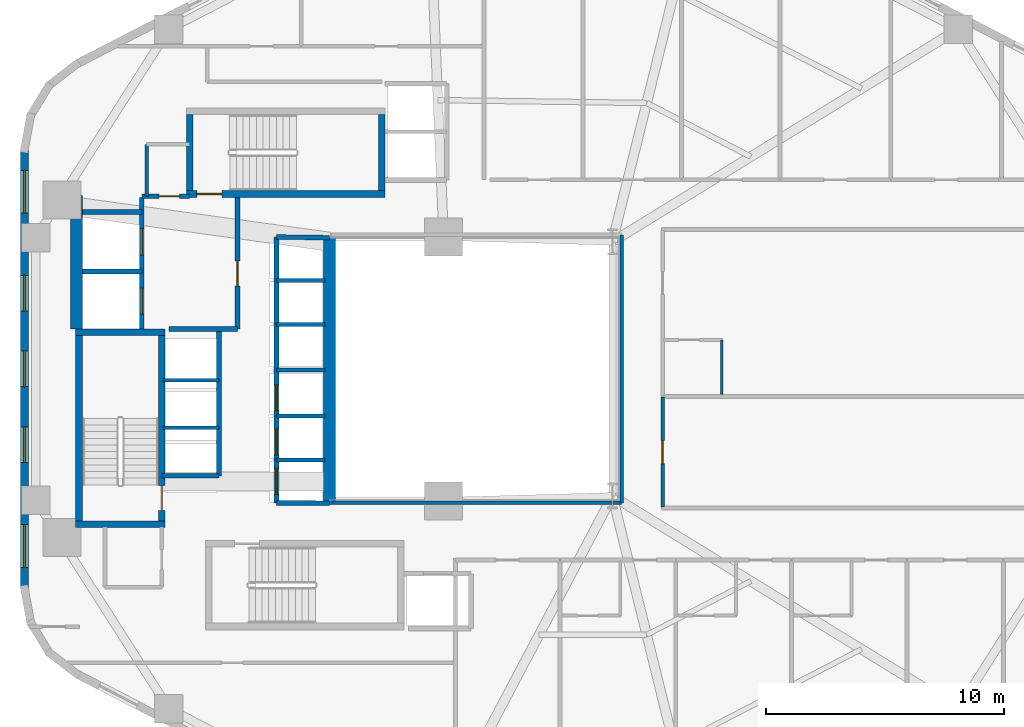
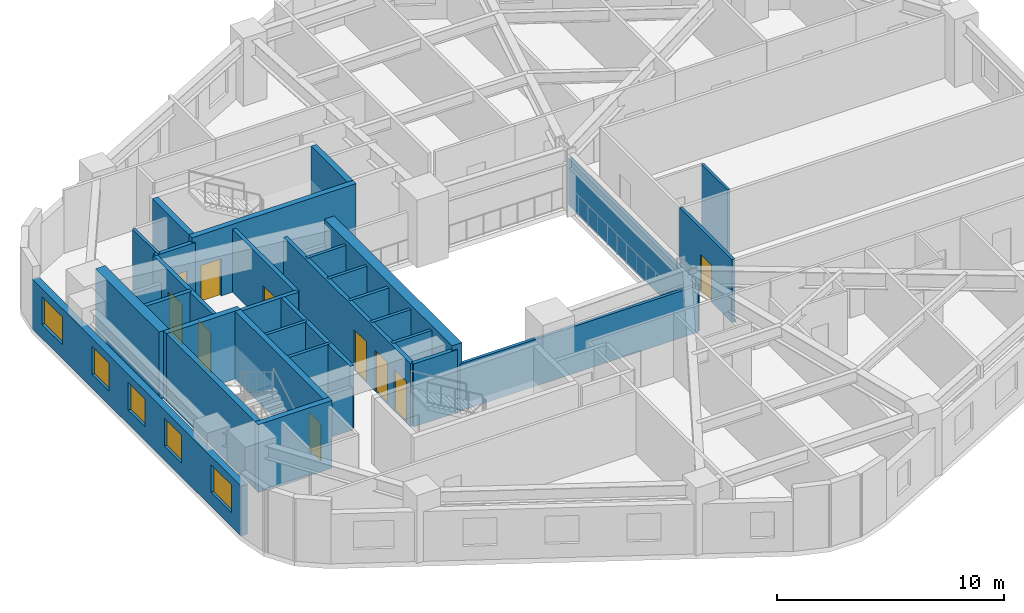
# One storey, part 3 of 7: 33 walls, 10 doors, 5 windows, 15 openings.
"""IFC4 building model written with IfcOpenShell, lengths in metres."""

from ifc_helpers import new_model, si_unit, direction, frame, frame_2d, origin, place, context, subcontext, project, spatial, rectangle, extrude, material, layer, layer_set, type_object, element, fill, save


model = new_model("IFC4")

# Units and contexts
model_context = context("Model", 3, precision=1e-05, world=origin(), true_north=direction((0.0, 1.0)))
body_context = subcontext(model_context, "Body", "Model", "MODEL_VIEW")
ifc_project = project(units=[si_unit("LENGTHUNIT", "METRE"), si_unit("AREAUNIT", "SQUARE_METRE"), si_unit("VOLUMEUNIT", "CUBIC_METRE"), si_unit("PLANEANGLEUNIT", "RADIAN"), si_unit("MASSUNIT", "GRAM", prefix="KILO"), si_unit("THERMODYNAMICTEMPERATUREUNIT", "KELVIN"), si_unit("POWERUNIT", "WATT")], contexts=[model_context])

# Site, building, storey
site_placement = place(None, origin())
site = spatial("IfcSite", under=ifc_project, at=site_placement, CompositionType="ELEMENT")
building_placement = place(site_placement, origin())
building = spatial("IfcBuilding", under=site, at=building_placement, Name="Skarre Station Tower", CompositionType="ELEMENT")
storey_placement = place(building_placement, frame((0.0, 0.0, 74.449951171875)))
storey = spatial("IfcBuildingStorey", under=building, at=storey_placement, Name="L19", CompositionType="ELEMENT", Elevation=74.449951171875)

# Walls
ifc_material_1 = material(Name="Acoustic Steel-Stud Gypsum Partition", Category="steel")
ifc_layer_1 = layer(ifc_material_1, 0.14990234375, Name="Acoustic Steel-Stud Gypsum Partition")
ifc_layer_set_1 = layer_set([ifc_layer_1], Name="Acoustic Steel-Stud Gypsum Partition")
wall_type_1 = type_object("IfcWallType", Name="Fire-Rated Corridor Acoustic Partition 150", PredefinedType="PARTITIONING", material=ifc_layer_set_1)
wall_1_placement = place(storey_placement, frame((19.85009765625, 33.449951171875, 0.0), z_axis=(0.0, 0.0, 1.0), x_axis=(0.0, -1.0, 0.0)))
element("IfcWall", 1, at=wall_1_placement, inside=storey, type_object=wall_type_1, Name="L19 Interior Partition WL-PT-L19-CNW-W", PredefinedType="PARTITIONING", context=body_context, shape_type="SweptSolid", body=[
    extrude(rectangle(XDim=2.18994140625, YDim=0.14990234375, at=frame_2d((1.094970703125, 0.0))), origin(), (0.0, 0.0, 1.0), 3.39013671875),
])
wall_2_placement = place(storey_placement, frame((27.699951171875, 18.360107421875, 0.0), z_axis=(0.0, 0.0, 1.0), x_axis=(1.0, 0.0, 0.0)))
element("IfcWall", 2, at=wall_2_placement, inside=storey, type_object=wall_type_1, Name="L19 Interior Partition WL-PT-L19-ATRW-S", PredefinedType="PARTITIONING", context=body_context, shape_type="SweptSolid", body=[
    extrude(rectangle(XDim=12.14013671875, YDim=0.14990234375, at=frame_2d((6.070068359375, 0.0))), origin(), (0.0, 0.0, 1.0), 2.531005859375),
])
wall_3_placement = place(storey_placement, frame((39.840087890625, 18.360107421875, 0.0), z_axis=(0.0, 0.0, 1.0), x_axis=(0.0, 1.0, 0.0)))
element("IfcWall", 3, at=wall_3_placement, inside=storey, type_object=wall_type_1, Name="L19 Interior Partition WL-PT-L19-ATRW-E", PredefinedType="PARTITIONING", context=body_context, shape_type="SweptSolid", body=[
    extrude(rectangle(XDim=11.27978515625, YDim=0.14990234375, at=frame_2d((5.639892578125, 0.0))), origin(), (0.0, 0.0, 1.0), 2.512939453125),
])

# Wall, opening, door
wall_4_placement = place(storey_placement, frame((41.56005859375, 18.179931640625, 0.0), z_axis=(0.0, 0.0, 1.0), x_axis=(0.0, 1.0, 0.0)))
wall_4 = element("IfcWall", 4, at=wall_4_placement, inside=storey, type_object=wall_type_1, Name="L19 Interior Partition WL-PT-L19-EW1-CW", PredefinedType="PARTITIONING", context=body_context, shape_type="SweptSolid", body=[
    extrude(rectangle(XDim=4.63818359375, YDim=0.14990234375, at=frame_2d((2.319091796875, 0.0))), origin(), (0.0, 0.0, 1.0), 3.39013671875),
])
opening_1_placement = place(wall_4_placement, frame((1.839111328125, 0.0, 0.0)))
opening_1 = element("IfcOpeningElement", 5, at=opening_1_placement, cuts=wall_4, Name="Opening DR-FD60", PredefinedType="OPENING", context=body_context, shape_type="SweptSolid", body=[
    extrude(rectangle(XDim=0.9599609375, YDim=2.0, at=frame_2d((0.47998046875, 1.0))), frame((0.0, 0.0849609375, 0.0), z_axis=(0.0, -1.0, 0.0), x_axis=(1.0, 0.0, 0.0)), (0.0, 0.0, 1.0), 0.169921875),
])
ifc_material_2 = material(Name="Nordic White-Oak Veneer Solid-Core Fire Leaf", Category="wood")
door_type_1 = type_object("IfcDoorType", Name="Corridor Suite Entry Fire Door FD60 960x2150", OperationType="SINGLE_SWING_LEFT", PredefinedType="DOOR", material=ifc_material_2)
door_1_placement = place(opening_1_placement, origin())
door_1 = element("IfcDoor", 6, at=door_1_placement, inside=storey, type_object=door_type_1, Name="L19 EW1 Entry Door", OperationType="SINGLE_SWING_LEFT", OverallHeight=2.0, OverallWidth=0.9599609375, PredefinedType="DOOR", context=body_context, shape_type="SweptSolid", body=[
    extrude(rectangle(XDim=0.9599609375, YDim=2.0, at=frame_2d((0.47998046875, 1.0))), frame((0.0, 0.02490234375, 0.0), z_axis=(0.0, -1.0, 0.0), x_axis=(1.0, 0.0, 0.0)), (0.0, 0.0, 1.0), 0.050048828125),
])
fill(opening_1, door_1)

# Wall
ifc_material_3 = material(Name="Insulated Timber-Stud Gypsum Partition", Category="wood")
ifc_layer_2 = layer(ifc_material_3, 0.1201171875, Name="Insulated Timber-Stud Gypsum Partition")
ifc_layer_set_2 = layer_set([ifc_layer_2], Name="Insulated Timber-Stud Gypsum Partition")
wall_type_2 = type_object("IfcWallType", Name="Internal Suite Acoustic Partition 120", PredefinedType="PARTITIONING", material=ifc_layer_set_2)
wall_5_placement = place(storey_placement, frame((44.050048828125, 22.9208984375, 0.0), z_axis=(0.0, 0.0, 1.0), x_axis=(0.0, 1.0, 0.0)))
element("IfcWall", 7, at=wall_5_placement, inside=storey, type_object=wall_type_2, Name="L19 Interior Partition WL-PT-L19-EW2-SA2", PredefinedType="PARTITIONING", context=body_context, shape_type="SweptSolid", body=[
    extrude(rectangle(XDim=2.300048828125, YDim=0.1201171875, at=frame_2d((1.14990234375, 0.0))), origin(), (0.0, 0.0, 1.0), 3.39013671875),
])

# Wall, openings, windows
ifc_material_4 = material(Name="Precast concrete C45/55", Category="concrete")
ifc_layer_3 = layer(ifc_material_4, 0.340087890625, Name="Precast concrete C45/55")
ifc_layer_set_3 = layer_set([ifc_layer_3], Name="Precast concrete C45/55")
wall_type_3 = type_object("IfcWallType", Name="Nordic Honed Precast Facet Wall 340", PredefinedType="STANDARD", material=ifc_layer_set_3)
wall_6_placement = place(storey_placement, frame((14.70703125, 14.798095703125, 0.0), z_axis=(0.0, 0.0, 1.0), x_axis=(0.0, 1.0, 0.0)))
wall_6 = element("IfcWall", 8, at=wall_6_placement, inside=storey, type_object=wall_type_3, Name="L19 Facet 2 Nordic Precast Masonry Wall", PredefinedType="STANDARD", context=body_context, shape_type="SweptSolid", body=[
    extrude(rectangle(XDim=18.40380859375, YDim=0.340087890625, at=frame_2d((9.201904296875, 0.0))), origin(), (0.0, 0.0, 1.0), 2.68408203125),
])
opening_2_placement = place(wall_6_placement, frame((0.844970703125, 0.0, 0.75)))
opening_2 = element("IfcOpeningElement", 9, at=opening_2_placement, cuts=wall_6, Name="Opening WN-Z1A", PredefinedType="OPENING", context=body_context, shape_type="SweptSolid", body=[
    extrude(rectangle(XDim=1.800048828125, YDim=1.5, at=frame_2d((0.89990234375, 0.75))), frame((0.0, 0.179931640625, 0.0), z_axis=(0.0, -1.0, 0.0), x_axis=(1.0, 0.0, 0.0)), (0.0, 0.0, 1.0), 0.360107421875),
])
opening_3_placement = place(wall_6_placement, frame((5.264892578125, 0.0, 0.75)))
opening_3 = element("IfcOpeningElement", 10, at=opening_3_placement, cuts=wall_6, Name="Opening WN-Z1B", PredefinedType="OPENING", context=body_context, shape_type="SweptSolid", body=[
    extrude(rectangle(XDim=1.5, YDim=1.5, at=frame_2d((0.75, 0.75))), frame((0.0, 0.179931640625, 0.0), z_axis=(0.0, -1.0, 0.0), x_axis=(1.0, 0.0, 0.0)), (0.0, 0.0, 1.0), 0.360107421875),
])
opening_4_placement = place(wall_6_placement, frame((8.451904296875, 0.0, 0.75)))
opening_4 = element("IfcOpeningElement", 11, at=opening_4_placement, cuts=wall_6, Name="Opening WN-Z1B", PredefinedType="OPENING", context=body_context, shape_type="SweptSolid", body=[
    extrude(rectangle(XDim=1.5, YDim=1.5, at=frame_2d((0.75, 0.75))), frame((0.0, 0.179931640625, 0.0), z_axis=(0.0, -1.0, 0.0), x_axis=(1.0, 0.0, 0.0)), (0.0, 0.0, 1.0), 0.360107421875),
])
opening_5_placement = place(wall_6_placement, frame((11.638916015625, 0.0, 0.75)))
opening_5 = element("IfcOpeningElement", 12, at=opening_5_placement, cuts=wall_6, Name="Opening WN-Z1B", PredefinedType="OPENING", context=body_context, shape_type="SweptSolid", body=[
    extrude(rectangle(XDim=1.5, YDim=1.5, at=frame_2d((0.75, 0.75))), frame((0.0, 0.179931640625, 0.0), z_axis=(0.0, -1.0, 0.0), x_axis=(1.0, 0.0, 0.0)), (0.0, 0.0, 1.0), 0.360107421875),
])
opening_6_placement = place(wall_6_placement, frame((15.758056640625, 0.0, 0.75)))
opening_6 = element("IfcOpeningElement", 13, at=opening_6_placement, cuts=wall_6, Name="Opening WN-Z1A", PredefinedType="OPENING", context=body_context, shape_type="SweptSolid", body=[
    extrude(rectangle(XDim=1.800048828125, YDim=1.5, at=frame_2d((0.89990234375, 0.75))), frame((0.0, 0.179931640625, 0.0), z_axis=(0.0, -1.0, 0.0), x_axis=(1.0, 0.0, 0.0)), (0.0, 0.0, 1.0), 0.360107421875),
])
ifc_material_5 = material(Name="Low-Iron Triple Glazing with Bronze Anodized Frame", Category="glass")
window_type_1 = type_object("IfcWindowType", Name="Nordic Punched Triple-Glazed Window 1500x1500", PartitioningType="SINGLE_PANEL", PredefinedType="WINDOW", material=ifc_material_5)
window_1_placement = place(opening_3_placement, origin())
window_1 = element("IfcWindow", 14, at=window_1_placement, inside=storey, type_object=window_type_1, Name="L19 Facade Window WL-FAC-L19-F2-2", OverallHeight=1.5, OverallWidth=1.5, PartitioningType="SINGLE_PANEL", PredefinedType="WINDOW", context=body_context, shape_type="SweptSolid", body=[
    extrude(rectangle(XDim=1.5, YDim=1.5, at=frame_2d((0.75, 0.75))), frame((0.0, 0.030029296875, 0.0), z_axis=(0.0, -1.0, 0.0), x_axis=(1.0, 0.0, 0.0)), (0.0, 0.0, 1.0), 0.06005859375),
])
fill(opening_3, window_1)
window_2_placement = place(opening_4_placement, origin())
window_2 = element("IfcWindow", 15, at=window_2_placement, inside=storey, type_object=window_type_1, Name="L19 Facade Window WL-FAC-L19-F2-3", OverallHeight=1.5, OverallWidth=1.5, PartitioningType="SINGLE_PANEL", PredefinedType="WINDOW", context=body_context, shape_type="SweptSolid", body=[
    extrude(rectangle(XDim=1.5, YDim=1.5, at=frame_2d((0.75, 0.75))), frame((0.0, 0.030029296875, 0.0), z_axis=(0.0, -1.0, 0.0), x_axis=(1.0, 0.0, 0.0)), (0.0, 0.0, 1.0), 0.06005859375),
])
fill(opening_4, window_2)
window_3_placement = place(opening_5_placement, origin())
window_3 = element("IfcWindow", 16, at=window_3_placement, inside=storey, type_object=window_type_1, Name="L19 Facade Window WL-FAC-L19-F2-4", OverallHeight=1.5, OverallWidth=1.5, PartitioningType="SINGLE_PANEL", PredefinedType="WINDOW", context=body_context, shape_type="SweptSolid", body=[
    extrude(rectangle(XDim=1.5, YDim=1.5, at=frame_2d((0.75, 0.75))), frame((0.0, 0.030029296875, 0.0), z_axis=(0.0, -1.0, 0.0), x_axis=(1.0, 0.0, 0.0)), (0.0, 0.0, 1.0), 0.06005859375),
])
fill(opening_5, window_3)
window_type_2 = type_object("IfcWindowType", Name="Nordic Punched Triple-Glazed Window 1800x1500", PartitioningType="SINGLE_PANEL", PredefinedType="WINDOW", material=ifc_material_5)
window_4_placement = place(opening_2_placement, origin())
window_4 = element("IfcWindow", 17, at=window_4_placement, inside=storey, type_object=window_type_2, Name="L19 Facade Window WL-FAC-L19-F2-1", OverallHeight=1.5, OverallWidth=1.800048828125, PartitioningType="SINGLE_PANEL", PredefinedType="WINDOW", context=body_context, shape_type="SweptSolid", body=[
    extrude(rectangle(XDim=1.800048828125, YDim=1.5, at=frame_2d((0.89990234375, 0.75))), frame((0.0, 0.030029296875, 0.0), z_axis=(0.0, -1.0, 0.0), x_axis=(1.0, 0.0, 0.0)), (0.0, 0.0, 1.0), 0.06005859375),
])
fill(opening_2, window_4)
window_5_placement = place(opening_6_placement, origin())
window_5 = element("IfcWindow", 18, at=window_5_placement, inside=storey, type_object=window_type_2, Name="L19 Facade Window WL-FAC-L19-F2-5", OverallHeight=1.5, OverallWidth=1.800048828125, PartitioningType="SINGLE_PANEL", PredefinedType="WINDOW", context=body_context, shape_type="SweptSolid", body=[
    extrude(rectangle(XDim=1.800048828125, YDim=1.5, at=frame_2d((0.89990234375, 0.75))), frame((0.0, 0.030029296875, 0.0), z_axis=(0.0, -1.0, 0.0), x_axis=(1.0, 0.0, 0.0)), (0.0, 0.0, 1.0), 0.06005859375),
])
fill(opening_6, window_5)

# Walls
ifc_material_6 = material(Name="Concrete C50/60", Category="concrete")
ifc_layer_4 = layer(ifc_material_6, 0.280029296875, Name="Concrete C50/60")
ifc_layer_set_4 = layer_set([ifc_layer_4], Name="Concrete C50/60")
wall_type_4 = type_object("IfcWallType", Name="RC Core Shear Wall 280", PredefinedType="SHEAR", material=ifc_layer_set_4)
for number, where, z_axis, x_axis, name in (
    (19, (16.8701171875, 17.4599609375, 0.0), (0.0, 0.0, 1.0), (1.0, 0.0, 0.0), "L19 Stair ST-1 South Shear Wall"),
    (20, (20.6298828125, 25.5400390625, 0.0), (0.0, 0.0, 1.0), (-1.0, 0.0, 0.0), "L19 Stair ST-1 North Shear Wall"),
):
    element("IfcWall", number, at=place(storey_placement, frame(where, z_axis=z_axis, x_axis=x_axis)), inside=storey, type_object=wall_type_4, Name=name, PredefinedType="SHEAR", context=body_context, shape_type="SweptSolid", body=[
        extrude(rectangle(XDim=3.759765625, YDim=0.280029296875, at=frame_2d((1.8798828125, 0.0))), origin(), (0.0, 0.0, 1.0), 3.650146484375),
    ])
wall_7_placement = place(storey_placement, frame((17.010009765625, 25.39990234375, 0.0), z_axis=(0.0, 0.0, 1.0), x_axis=(0.0, -1.0, 0.0)))
element("IfcWall", 21, at=wall_7_placement, inside=storey, type_object=wall_type_4, Name="L19 Stair ST-1 West Shear Wall", PredefinedType="SHEAR", context=body_context, shape_type="SweptSolid", body=[
    extrude(rectangle(XDim=7.7998046875, YDim=0.280029296875, at=frame_2d((3.89990234375, 0.0))), origin(), (0.0, 0.0, 1.0), 3.650146484375),
])

# Wall, opening, door
wall_8_placement = place(storey_placement, frame((20.489990234375, 17.60009765625, 0.0), z_axis=(0.0, 0.0, 1.0), x_axis=(0.0, 1.0, 0.0)))
wall_8 = element("IfcWall", 22, at=wall_8_placement, inside=storey, type_object=wall_type_4, Name="L19 Stair ST-1 East Shear Wall", PredefinedType="SHEAR", context=body_context, shape_type="SweptSolid", body=[
    extrude(rectangle(XDim=7.7998046875, YDim=0.280029296875, at=frame_2d((3.89990234375, 0.0))), origin(), (0.0, 0.0, 1.0), 3.650146484375),
])
opening_7_placement = place(wall_8_placement, frame((0.43994140625, 0.0, 0.0)))
opening_7 = element("IfcOpeningElement", 23, at=opening_7_placement, cuts=wall_8, Name="Opening DR-FD90", PredefinedType="OPENING", context=body_context, shape_type="SweptSolid", body=[
    extrude(rectangle(XDim=1.050048828125, YDim=2.0, at=frame_2d((0.52490234375, 1.0))), frame((0.0, 0.14990234375, 0.0), z_axis=(0.0, -1.0, 0.0), x_axis=(1.0, 0.0, 0.0)), (0.0, 0.0, 1.0), 0.300048828125),
])
ifc_material_7 = material(Name="Fire-Rated Insulated Steel Frame & Timber Core Leaf", Category="steel")
door_type_2 = type_object("IfcDoorType", Name="Stair & FSAE Lobby Fire Door FD90 1050x2150", OperationType="SINGLE_SWING_RIGHT", PredefinedType="DOOR", material=ifc_material_7)
door_2_placement = place(opening_7_placement, origin())
door_2 = element("IfcDoor", 24, at=door_2_placement, inside=storey, type_object=door_type_2, Name="L19 Stair ST-1 Exit Door", OperationType="SINGLE_SWING_RIGHT", OverallHeight=2.0, OverallWidth=1.050048828125, PredefinedType="DOOR", context=body_context, shape_type="SweptSolid", body=[
    extrude(rectangle(XDim=1.050048828125, YDim=2.0, at=frame_2d((0.52490234375, 1.0))), frame((0.0, 0.02490234375, 0.0), z_axis=(0.0, -1.0, 0.0), x_axis=(1.0, 0.0, 0.0)), (0.0, 0.0, 1.0), 0.050048828125),
])
fill(opening_7, door_2)

wall_9_placement = place(storey_placement, frame((21.52001953125, 31.360107421875, 0.0), z_axis=(0.0, 0.0, 1.0), x_axis=(1.0, 0.0, 0.0)))
wall_9 = element("IfcWall", 25, at=wall_9_placement, inside=storey, type_object=wall_type_4, Name="L19 Stair ST-3 South Shear Wall", PredefinedType="SHEAR", context=body_context, shape_type="SweptSolid", body=[
    extrude(rectangle(XDim=8.35986328125, YDim=0.280029296875, at=frame_2d((4.179931640625, 0.0))), origin(), (0.0, 0.0, 1.0), 3.650146484375),
])
opening_8_placement = place(wall_9_placement, frame((0.449951171875, 0.0, 0.0)))
opening_8 = element("IfcOpeningElement", 26, at=opening_8_placement, cuts=wall_9, Name="Opening DR-FD90", PredefinedType="OPENING", context=body_context, shape_type="SweptSolid", body=[
    extrude(rectangle(XDim=1.050048828125, YDim=2.0, at=frame_2d((0.52490234375, 1.0))), frame((0.0, 0.14990234375, 0.0), z_axis=(0.0, -1.0, 0.0), x_axis=(1.0, 0.0, 0.0)), (0.0, 0.0, 1.0), 0.300048828125),
])
door_3_placement = place(opening_8_placement, origin())
door_3 = element("IfcDoor", 27, at=door_3_placement, inside=storey, type_object=door_type_2, Name="L19 Stair ST-3 & FSAE Lobby Direct Exit Door", OperationType="SINGLE_SWING_LEFT", OverallHeight=2.0, OverallWidth=1.050048828125, PredefinedType="DOOR", context=body_context, shape_type="SweptSolid", body=[
    extrude(rectangle(XDim=1.050048828125, YDim=2.0, at=frame_2d((0.52490234375, 1.0))), frame((0.0, 0.02490234375, 0.0), z_axis=(0.0, -1.0, 0.0), x_axis=(1.0, 0.0, 0.0)), (0.0, 0.0, 1.0), 0.050048828125),
])
fill(opening_8, door_3)

# Walls
for number, where, z_axis, x_axis, name in (
    (28, (21.659912109375, 34.699951171875, 0.0), (0.0, 0.0, 1.0), (0.0, -1.0, 0.0), "L19 Stair ST-3 West Shear Wall"),
    (29, (29.739990234375, 31.5, 0.0), (0.0, 0.0, 1.0), (0.0, 1.0, 0.0), "L19 Stair ST-3 East Shear Wall"),
):
    element("IfcWall", number, at=place(storey_placement, frame(where, z_axis=z_axis, x_axis=x_axis)), inside=storey, type_object=wall_type_4, Name=name, PredefinedType="SHEAR", context=body_context, shape_type="SweptSolid", body=[
        extrude(rectangle(XDim=3.199951171875, YDim=0.280029296875, at=frame_2d((1.60009765625, 0.0))), origin(), (0.0, 0.0, 1.0), 3.650146484375),
    ])
ifc_material_8 = material(Name="Concrete C70/85", Category="concrete")
ifc_layer_5 = layer(ifc_material_8, 0.5, Name="Concrete C70/85")
ifc_layer_set_5 = layer_set([ifc_layer_5], Name="Concrete C70/85")
wall_type_5 = type_object("IfcWallType", Name="RC Core Shear Wall 500", PredefinedType="SHEAR", material=ifc_layer_set_5)
wall_10_placement = place(storey_placement, frame((16.89990234375, 25.679931640625, 0.0), z_axis=(0.0, 0.0, 1.0), x_axis=(0.0, 1.0, 0.0)))
element("IfcWall", 30, at=wall_10_placement, inside=storey, type_object=wall_type_5, Name="L19 Core West-North Shear Wall", PredefinedType="SHEAR", context=body_context, shape_type="SweptSolid", body=[
    extrude(rectangle(XDim=5.6201171875, YDim=0.5, at=frame_2d((2.81005859375, 0.0))), origin(), (0.0, 0.0, 1.0), 3.650146484375),
])
wall_11_placement = place(storey_placement, frame((27.550048828125, 29.550048828125, 0.0), z_axis=(0.0, 0.0, 1.0), x_axis=(0.0, -1.0, 0.0)))
element("IfcWall", 31, at=wall_11_placement, inside=storey, type_object=wall_type_5, Name="L19 Core East Atrium Shear Wall", PredefinedType="SHEAR", context=body_context, shape_type="SweptSolid", body=[
    extrude(rectangle(XDim=11.25, YDim=0.5, at=frame_2d((5.625, 0.0))), origin(), (0.0, 0.0, 1.0), 3.650146484375),
])

# Wall, openings, doors
ifc_material_9 = material(Name="Gypsum Concrete Shaft Assembly C30/37", Category="concrete")
ifc_layer_6 = layer(ifc_material_9, 0.199951171875, Name="Gypsum Concrete Shaft Assembly C30/37")
ifc_layer_set_6 = layer_set([ifc_layer_6], Name="Gypsum Concrete Shaft Assembly C30/37")
wall_type_6 = type_object("IfcWallType", Name="Shaft & Core Fire Partition 200", PredefinedType="PARTITIONING", material=ifc_layer_set_6)
wall_12_placement = place(storey_placement, frame((19.64990234375, 25.679931640625, 0.0), z_axis=(0.0, 0.0, 1.0), x_axis=(0.0, 1.0, 0.0)))
wall_12 = element("IfcWall", 32, at=wall_12_placement, inside=storey, type_object=wall_type_6, Name="L19 Interior Partition WL-PT-L19-FSAE-W", PredefinedType="PARTITIONING", context=body_context, shape_type="SweptSolid", body=[
    extrude(rectangle(XDim=5.5400390625, YDim=0.199951171875, at=frame_2d((2.77001953125, 0.0))), origin(), (0.0, 0.0, 1.0), 3.39013671875),
])
opening_9_placement = place(wall_12_placement, frame((0.6201171875, 0.0, 0.0)))
opening_9 = element("IfcOpeningElement", 33, at=opening_9_placement, cuts=wall_12, Name="Opening LD-FF1", PredefinedType="OPENING", context=body_context, shape_type="SweptSolid", body=[
    extrude(rectangle(XDim=1.10009765625, YDim=2.199951171875, at=frame_2d((0.550048828125, 1.10009765625))), frame((0.0, 0.10986328125, 0.0), z_axis=(0.0, -1.0, 0.0), x_axis=(1.0, 0.0, 0.0)), (0.0, 0.0, 1.0), 0.219970703125),
])
opening_10_placement = place(wall_12_placement, frame((3.1201171875, 0.0, 0.0)))
opening_10 = element("IfcOpeningElement", 34, at=opening_10_placement, cuts=wall_12, Name="Opening LD-FF2", PredefinedType="OPENING", context=body_context, shape_type="SweptSolid", body=[
    extrude(rectangle(XDim=1.10009765625, YDim=2.199951171875, at=frame_2d((0.550048828125, 1.10009765625))), frame((0.0, 0.10986328125, 0.0), z_axis=(0.0, -1.0, 0.0), x_axis=(1.0, 0.0, 0.0)), (0.0, 0.0, 1.0), 0.219970703125),
])
ifc_material_10 = material(Name="Fire-Rated Stainless Steel Grade 316L Sliding Leaves", Category="steel")
door_type_3 = type_object("IfcDoorType", Name="Fire Service Access Elevator Sliding Landing Door 1100x2200", OperationType="SLIDING_TO_LEFT", PredefinedType="DOOR", material=ifc_material_10)
door_4_placement = place(opening_9_placement, origin())
door_4 = element("IfcDoor", 35, at=door_4_placement, inside=storey, type_object=door_type_3, Name="L19 Firefighting Lift LF-FF1 Landing Door", OperationType="SLIDING_TO_LEFT", OverallHeight=2.199951171875, OverallWidth=1.10009765625, PredefinedType="DOOR", context=body_context, shape_type="SweptSolid", body=[
    extrude(rectangle(XDim=1.10009765625, YDim=2.199951171875, at=frame_2d((0.550048828125, 1.10009765625))), frame((0.0, 0.02490234375, 0.0), z_axis=(0.0, -1.0, 0.0), x_axis=(1.0, 0.0, 0.0)), (0.0, 0.0, 1.0), 0.050048828125),
])
fill(opening_9, door_4)
door_5_placement = place(opening_10_placement, origin())
door_5 = element("IfcDoor", 36, at=door_5_placement, inside=storey, type_object=door_type_3, Name="L19 Firefighting Lift LF-FF2 Landing Door", OperationType="SLIDING_TO_LEFT", OverallHeight=2.199951171875, OverallWidth=1.10009765625, PredefinedType="DOOR", context=body_context, shape_type="SweptSolid", body=[
    extrude(rectangle(XDim=1.10009765625, YDim=2.199951171875, at=frame_2d((0.550048828125, 1.10009765625))), frame((0.0, 0.02490234375, 0.0), z_axis=(0.0, -1.0, 0.0), x_axis=(1.0, 0.0, 0.0)), (0.0, 0.0, 1.0), 0.050048828125),
])
fill(opening_10, door_5)

# Wall
wall_13_placement = place(storey_placement, frame((20.79296875, 25.679931640625, 0.0), z_axis=(0.0, 0.0, 1.0), x_axis=(1.0, 0.0, 0.0)))
element("IfcWall", 37, at=wall_13_placement, inside=storey, type_object=wall_type_6, Name="L19 Interior Partition WL-PT-L19-FSAE-S", PredefinedType="PARTITIONING", context=body_context, shape_type="SweptSolid", body=[
    extrude(rectangle(XDim=2.886962890625, YDim=0.199951171875, at=frame_2d((1.443359375, 0.0))), origin(), (0.0, 0.0, 1.0), 3.39013671875),
])

# Wall, opening, door
wall_14_placement = place(storey_placement, frame((23.679931640625, 25.679931640625, 0.0), z_axis=(0.0, 0.0, 1.0), x_axis=(0.0, 1.0, 0.0)))
wall_14 = element("IfcWall", 38, at=wall_14_placement, inside=storey, type_object=wall_type_6, Name="L19 Interior Partition WL-PT-L19-FSAE-E", PredefinedType="PARTITIONING", context=body_context, shape_type="SweptSolid", body=[
    extrude(rectangle(XDim=5.5400390625, YDim=0.199951171875, at=frame_2d((2.77001953125, 0.0))), origin(), (0.0, 0.0, 1.0), 3.39013671875),
])
opening_11_placement = place(wall_14_placement, frame((1.800048828125, 0.0, 0.0)))
opening_11 = element("IfcOpeningElement", 39, at=opening_11_placement, cuts=wall_14, Name="Opening DR-FD90", PredefinedType="OPENING", context=body_context, shape_type="SweptSolid", body=[
    extrude(rectangle(XDim=1.050048828125, YDim=2.0, at=frame_2d((0.52490234375, 1.0))), frame((0.0, 0.10986328125, 0.0), z_axis=(0.0, -1.0, 0.0), x_axis=(1.0, 0.0, 0.0)), (0.0, 0.0, 1.0), 0.219970703125),
])
door_6_placement = place(opening_11_placement, origin())
door_6 = element("IfcDoor", 40, at=door_6_placement, inside=storey, type_object=door_type_2, Name="L19 FSAE Lobby Fire Door", OperationType="SINGLE_SWING_RIGHT", OverallHeight=2.0, OverallWidth=1.050048828125, PredefinedType="DOOR", context=body_context, shape_type="SweptSolid", body=[
    extrude(rectangle(XDim=1.050048828125, YDim=2.0, at=frame_2d((0.52490234375, 1.0))), frame((0.0, 0.02490234375, 0.0), z_axis=(0.0, -1.0, 0.0), x_axis=(1.0, 0.0, 0.0)), (0.0, 0.0, 1.0), 0.050048828125),
])
fill(opening_11, door_6)

wall_15_placement = place(storey_placement, frame((21.659912109375, 31.260009765625, 0.0), z_axis=(0.0, 0.0, 1.0), x_axis=(-1.0, 0.0, 0.0)))
wall_15 = element("IfcWall", 41, at=wall_15_placement, inside=storey, type_object=wall_type_6, Name="L19 Interior Partition WL-PT-L19-FSAE-N", PredefinedType="PARTITIONING", context=body_context, shape_type="SweptSolid", body=[
    extrude(rectangle(XDim=2.010009765625, YDim=0.199951171875, at=frame_2d((1.0048828125, 0.0))), origin(), (0.0, 0.0, 1.0), 3.39013671875),
])
opening_12_placement = place(wall_15_placement, frame((0.419921875, 0.0, 0.0)))
opening_12 = element("IfcOpeningElement", 42, at=opening_12_placement, cuts=wall_15, Name="Opening DR-SVC86", PredefinedType="OPENING", context=body_context, shape_type="SweptSolid", body=[
    extrude(rectangle(XDim=0.860107421875, YDim=2.0, at=frame_2d((0.43017578125, 1.0))), frame((0.0, 0.10986328125, 0.0), z_axis=(0.0, -1.0, 0.0), x_axis=(1.0, 0.0, 0.0)), (0.0, 0.0, 1.0), 0.219970703125),
])
ifc_material_11 = material(Name="Powder-Coated Hollow-Metal Acoustic Fire Leaf", Category="steel")
door_type_4 = type_object("IfcDoorType", Name="Compact Riser Fire Door FD60 860x2100", OperationType="SINGLE_SWING_LEFT", PredefinedType="DOOR", material=ifc_material_11)
door_7_placement = place(opening_12_placement, origin())
door_7 = element("IfcDoor", 43, at=door_7_placement, inside=storey, type_object=door_type_4, Name="L19 Core Service Room Lobby Door", OperationType="SINGLE_SWING_LEFT", OverallHeight=2.0, OverallWidth=0.860107421875, PredefinedType="DOOR", context=body_context, shape_type="SweptSolid", body=[
    extrude(rectangle(XDim=0.860107421875, YDim=2.0, at=frame_2d((0.43017578125, 1.0))), frame((0.0, 0.02490234375, 0.0), z_axis=(0.0, -1.0, 0.0), x_axis=(1.0, 0.0, 0.0)), (0.0, 0.0, 1.0), 0.050048828125),
])
fill(opening_12, door_7)

# Walls
wall_16_placement = place(storey_placement, frame((17.14990234375, 28.10009765625, 0.0), z_axis=(0.0, 0.0, 1.0), x_axis=(1.0, 0.0, 0.0)))
element("IfcWall", 44, at=wall_16_placement, inside=storey, type_object=wall_type_6, Name="L19 Interior Partition WL-PT-L19-FF-DIV", PredefinedType="PARTITIONING", context=body_context, shape_type="SweptSolid", body=[
    extrude(rectangle(XDim=2.5, YDim=0.199951171875, at=frame_2d((1.25, 0.0))), origin(), (0.0, 0.0, 1.0), 3.39013671875),
])
wall_17_placement = place(storey_placement, frame((19.64990234375, 30.60009765625, 0.0), z_axis=(0.0, 0.0, 1.0), x_axis=(-1.0, 0.0, 0.0)))
element("IfcWall", 45, at=wall_17_placement, inside=storey, type_object=wall_type_6, Name="L19 Interior Partition WL-PT-L19-FF-N", PredefinedType="PARTITIONING", context=body_context, shape_type="SweptSolid", body=[
    extrude(rectangle(XDim=2.5, YDim=0.199951171875, at=frame_2d((1.25, 0.0))), origin(), (0.0, 0.0, 1.0), 2.2900390625),
])
wall_18_placement = place(storey_placement, frame((22.89990234375, 19.5, 0.0), z_axis=(0.0, 0.0, 1.0), x_axis=(0.0, 1.0, 0.0)))
element("IfcWall", 46, at=wall_18_placement, inside=storey, type_object=wall_type_6, Name="L19 Interior Partition WL-PT-L19-B3-E", PredefinedType="PARTITIONING", context=body_context, shape_type="SweptSolid", body=[
    extrude(rectangle(XDim=6.0849609375, YDim=0.199951171875, at=frame_2d((3.04248046875, 0.0))), origin(), (0.0, 0.0, 1.0), 3.39013671875),
])
wall_19_placement = place(storey_placement, frame((20.489990234375, 19.5, 0.0), z_axis=(0.0, 0.0, 1.0), x_axis=(1.0, 0.0, 0.0)))
element("IfcWall", 47, at=wall_19_placement, inside=storey, type_object=wall_type_6, Name="L19 Interior Partition WL-PT-L19-B3-S", PredefinedType="PARTITIONING", context=body_context, shape_type="SweptSolid", body=[
    extrude(rectangle(XDim=2.409912109375, YDim=0.199951171875, at=frame_2d((1.205078125, 0.0))), origin(), (0.0, 0.0, 1.0), 2.2900390625),
])
for number, where, z_axis, x_axis, name in (
    (48, (20.550048828125, 21.52001953125, 0.0), (0.0, 0.0, 1.0), (1.0, 0.0, 0.0), "L19 Interior Partition WL-PT-L19-B3-D1"),
    (49, (20.550048828125, 23.52001953125, 0.0), (0.0, 0.0, 1.0), (1.0, 0.0, 0.0), "L19 Interior Partition WL-PT-L19-B3-D2"),
):
    element("IfcWall", number, at=place(storey_placement, frame(where, z_axis=z_axis, x_axis=x_axis)), inside=storey, type_object=wall_type_6, Name=name, PredefinedType="PARTITIONING", context=body_context, shape_type="SweptSolid", body=[
        extrude(rectangle(XDim=2.349853515625, YDim=0.159912109375, at=frame_2d((1.1748046875, 0.0))), origin(), (0.0, 0.0, 1.0), 3.39013671875),
    ])

# Wall, openings, doors
wall_20_placement = place(storey_placement, frame((25.320068359375, 29.550048828125, 0.0), z_axis=(0.0, 0.0, 1.0), x_axis=(0.0, -1.0, 0.0)))
wall_20 = element("IfcWall", 50, at=wall_20_placement, inside=storey, type_object=wall_type_6, Name="L19 Interior Partition WL-PT-L19-B12-W", PredefinedType="PARTITIONING", context=body_context, shape_type="SweptSolid", body=[
    extrude(rectangle(XDim=11.18994140625, YDim=0.199951171875, at=frame_2d((5.594970703125, 0.0))), origin(), (0.0, 0.0, 1.0), 3.39013671875),
])
opening_13_placement = place(wall_20_placement, frame((6.219970703125, 0.0, 0.0)))
opening_13 = element("IfcOpeningElement", 51, at=opening_13_placement, cuts=wall_20, Name="Opening LD-P3", PredefinedType="OPENING", context=body_context, shape_type="SweptSolid", body=[
    extrude(rectangle(XDim=1.10009765625, YDim=2.199951171875, at=frame_2d((0.550048828125, 1.10009765625))), frame((0.0, 0.10986328125, 0.0), z_axis=(0.0, -1.0, 0.0), x_axis=(1.0, 0.0, 0.0)), (0.0, 0.0, 1.0), 0.219970703125),
])
opening_14_placement = place(wall_20_placement, frame((8.070068359375, 0.0, 0.0)))
opening_14 = element("IfcOpeningElement", 52, at=opening_14_placement, cuts=wall_20, Name="Opening LD-P2", PredefinedType="OPENING", context=body_context, shape_type="SweptSolid", body=[
    extrude(rectangle(XDim=1.10009765625, YDim=2.199951171875, at=frame_2d((0.550048828125, 1.10009765625))), frame((0.0, 0.10986328125, 0.0), z_axis=(0.0, -1.0, 0.0), x_axis=(1.0, 0.0, 0.0)), (0.0, 0.0, 1.0), 0.219970703125),
])
opening_15_placement = place(wall_20_placement, frame((9.72998046875, 0.0, 0.0)))
opening_15 = element("IfcOpeningElement", 53, at=opening_15_placement, cuts=wall_20, Name="Opening LD-P1", PredefinedType="OPENING", context=body_context, shape_type="SweptSolid", body=[
    extrude(rectangle(XDim=1.10009765625, YDim=2.199951171875, at=frame_2d((0.550048828125, 1.10009765625))), frame((0.0, 0.10986328125, 0.0), z_axis=(0.0, -1.0, 0.0), x_axis=(1.0, 0.0, 0.0)), (0.0, 0.0, 1.0), 0.219970703125),
])
ifc_material_12 = material(Name="Brushed Bronze Stainless Steel Sliding Leaves", Category="steel")
door_type_5 = type_object("IfcDoorType", Name="Passenger Elevator Center-Parting Sliding Door 1100x2200", OperationType="SLIDING_TO_LEFT", PredefinedType="DOOR", material=ifc_material_12)
door_8_placement = place(opening_13_placement, origin())
door_8 = element("IfcDoor", 54, at=door_8_placement, inside=storey, type_object=door_type_5, Name="L19 Passenger Lift LF-P3 Landing Door", OperationType="SLIDING_TO_LEFT", OverallHeight=2.199951171875, OverallWidth=1.10009765625, PredefinedType="DOOR", context=body_context, shape_type="SweptSolid", body=[
    extrude(rectangle(XDim=1.10009765625, YDim=2.199951171875, at=frame_2d((0.550048828125, 1.10009765625))), frame((0.0, 0.02490234375, 0.0), z_axis=(0.0, -1.0, 0.0), x_axis=(1.0, 0.0, 0.0)), (0.0, 0.0, 1.0), 0.050048828125),
])
fill(opening_13, door_8)
door_9_placement = place(opening_14_placement, origin())
door_9 = element("IfcDoor", 55, at=door_9_placement, inside=storey, type_object=door_type_5, Name="L19 Passenger Lift LF-P2 Landing Door", OperationType="SLIDING_TO_LEFT", OverallHeight=2.199951171875, OverallWidth=1.10009765625, PredefinedType="DOOR", context=body_context, shape_type="SweptSolid", body=[
    extrude(rectangle(XDim=1.10009765625, YDim=2.199951171875, at=frame_2d((0.550048828125, 1.10009765625))), frame((0.0, 0.02490234375, 0.0), z_axis=(0.0, -1.0, 0.0), x_axis=(1.0, 0.0, 0.0)), (0.0, 0.0, 1.0), 0.050048828125),
])
fill(opening_14, door_9)
door_10_placement = place(opening_15_placement, origin())
door_10 = element("IfcDoor", 56, at=door_10_placement, inside=storey, type_object=door_type_5, Name="L19 Passenger Lift LF-P1 Landing Door", OperationType="SLIDING_TO_LEFT", OverallHeight=2.199951171875, OverallWidth=1.10009765625, PredefinedType="DOOR", context=body_context, shape_type="SweptSolid", body=[
    extrude(rectangle(XDim=1.10009765625, YDim=2.199951171875, at=frame_2d((0.550048828125, 1.10009765625))), frame((0.0, 0.02490234375, 0.0), z_axis=(0.0, -1.0, 0.0), x_axis=(1.0, 0.0, 0.0)), (0.0, 0.0, 1.0), 0.050048828125),
])
fill(opening_15, door_10)

# Walls
wall_21_placement = place(storey_placement, frame((25.320068359375, 18.360107421875, 0.0), z_axis=(0.0, 0.0, 1.0), x_axis=(0.999989925833, -0.004488678231, 0.0)))
element("IfcWall", 57, at=wall_21_placement, inside=storey, type_object=wall_type_6, Name="L19 Interior Partition WL-PT-L19-B12-S", PredefinedType="PARTITIONING", context=body_context, shape_type="SweptSolid", body=[
    extrude(rectangle(XDim=2.22998046875, YDim=0.199951171875, at=frame_2d((1.114990234375, 0.0))), origin(), (0.0, 0.0, 1.0), 3.39013671875),
])
wall_22_placement = place(storey_placement, frame((27.550048828125, 29.52001953125, 0.0), z_axis=(0.0, 0.0, 1.0), x_axis=(-0.999909343457, 0.013464949556, 0.0)))
element("IfcWall", 58, at=wall_22_placement, inside=storey, type_object=wall_type_6, Name="L19 Interior Partition WL-PT-L19-B12-N", PredefinedType="PARTITIONING", context=body_context, shape_type="SweptSolid", body=[
    extrude(rectangle(XDim=2.230224609375, YDim=0.199951171875, at=frame_2d((1.115234375, 0.0))), origin(), (0.0, 0.0, 1.0), 2.2900390625),
])
for number, where, z_axis, x_axis, name in (
    (59, (25.320068359375, 20.169921875, 0.0), (0.0, 0.0, 1.0), (1.0, 0.0, 0.0), "L19 Interior Partition WL-PT-L19-B12-D201"),
    (60, (25.320068359375, 22.02001953125, 0.0), (0.0, 0.0, 1.0), (1.0, 0.0, 0.0), "L19 Interior Partition WL-PT-L19-B12-D220"),
    (61, (25.320068359375, 23.949951171875, 0.0), (0.0, 0.0, 1.0), (1.0, 0.0, 0.0), "L19 Interior Partition WL-PT-L19-B12-D239"),
    (62, (25.320068359375, 25.8701171875, 0.0), (0.0, 0.0, 1.0), (1.0, 0.0, 0.0), "L19 Interior Partition WL-PT-L19-B12-D258"),
    (63, (25.320068359375, 27.719970703125, 0.0), (0.0, 0.0, 1.0), (1.0, 0.0, 0.0), "L19 Interior Partition WL-PT-L19-B12-D277"),
):
    element("IfcWall", number, at=place(storey_placement, frame(where, z_axis=z_axis, x_axis=x_axis)), inside=storey, type_object=wall_type_6, Name=name, PredefinedType="PARTITIONING", context=body_context, shape_type="SweptSolid", body=[
        extrude(rectangle(XDim=2.030029296875, YDim=0.159912109375, at=frame_2d((1.01513671875, 0.0))), origin(), (0.0, 0.0, 1.0), 3.39013671875),
    ])

save(model, "model.ifc")
